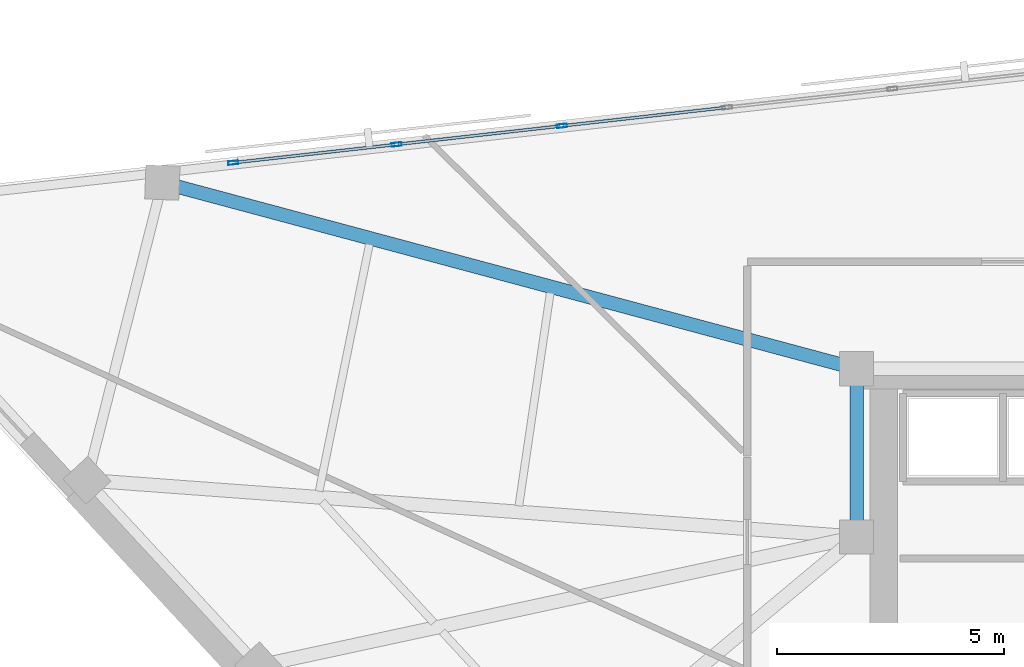
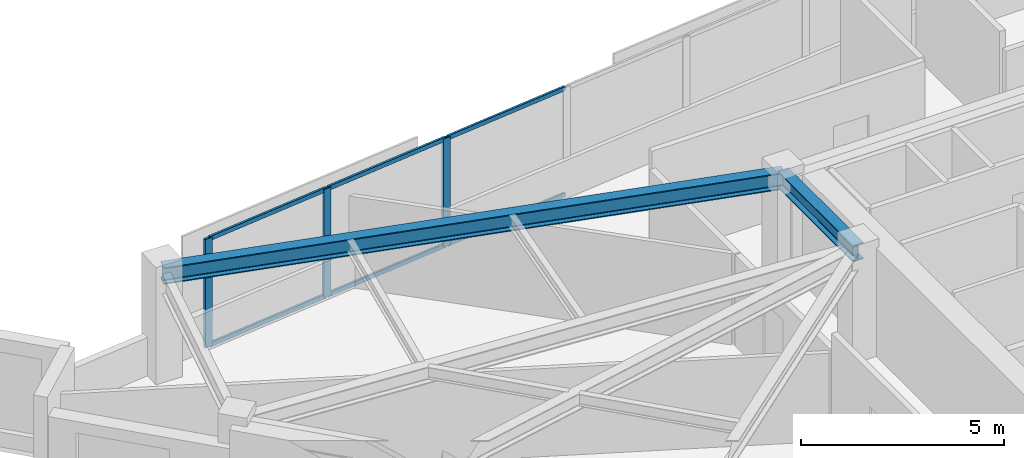
# One storey, part 2 of 13: 9 members, 2 beams, 1 element without a shape of its own.
"""IFC4 building model written with IfcOpenShell, lengths in metres."""

from ifc_helpers import new_model, si_unit, direction, frame, origin, origin_2d, place, context, subcontext, project, spatial, hollow_rectangle, i_section, extrude, material, material_profile, profile_set, type_object, element, aggregate, save


model = new_model("IFC4")

# Units and contexts
model_context = context("Model", 3, precision=1e-05, world=origin(), true_north=direction((0.0, 1.0)))
body_context = subcontext(model_context, "Body", "Model", "MODEL_VIEW")
ifc_project = project(units=[si_unit("LENGTHUNIT", "METRE"), si_unit("AREAUNIT", "SQUARE_METRE"), si_unit("VOLUMEUNIT", "CUBIC_METRE"), si_unit("PLANEANGLEUNIT", "RADIAN"), si_unit("MASSUNIT", "GRAM", prefix="KILO")], contexts=[model_context])

# Site, building, storey
site_placement = place(None, origin())
site = spatial("IfcSite", under=ifc_project, at=site_placement, CompositionType="ELEMENT")
building_placement = place(site_placement, origin())
building = spatial("IfcBuilding", under=site, at=building_placement, Name="Narakoshi Arena Tower", CompositionType="ELEMENT")
storey_placement = place(building_placement, frame((0.0, 0.0, 264.260009765625)))
storey = spatial("IfcBuildingStorey", under=building, at=storey_placement, Name="L72", CompositionType="ELEMENT", Elevation=264.260009765625)

# Beams
ifc_material_1 = material(Name="Structural steel S355J2", Category="steel")
ifc_material_profile_1 = material_profile(ifc_material_1, i_section(OverallWidth=0.300048828125, OverallDepth=0.5, WebThickness=0.014404296875, FlangeThickness=0.028076171875, FilletRadius=0.027099609375, at=origin_2d()), Name="HE500B")
ifc_profile_set_1 = profile_set([ifc_material_profile_1], Name="Structural steel S355J2")
beam_type = type_object("IfcBeamType", Name="BM-PRI-500", PredefinedType="BEAM", material=ifc_profile_set_1)
beam_1_placement = place(storey_placement, frame((72.0, 56.5, 3.010009765625), z_axis=(-0.965877018817, 0.259001128418, 0.0), x_axis=(-0.259001128418, -0.965877018817, 0.0)))
element("IfcBeam", 1, at=beam_1_placement, inside=storey, type_object=beam_type, Name="L72 Radial Primary Floor Girder 08", PredefinedType="BEAM", context=body_context, shape_type="SweptSolid", body=[
    extrude(i_section(OverallWidth=0.300048828125, OverallDepth=0.5, WebThickness=0.014404296875, FlangeThickness=0.028076171875, FilletRadius=0.027099609375, at=origin_2d()), origin(), (0.0, 0.0, 1.0), 15.822998046875),
])
beam_2_placement = place(storey_placement, frame((72.0, 52.800048828125, 3.010009765625), z_axis=(0.0, 1.0, 0.0), x_axis=(-1.0, 0.0, 0.0)))
element("IfcBeam", 2, at=beam_2_placement, inside=storey, type_object=beam_type, Name="L72 Core Perimeter Frame Beam CC4-CC5", PredefinedType="BEAM", context=body_context, shape_type="SweptSolid", body=[
    extrude(i_section(OverallWidth=0.300048828125, OverallDepth=0.5, WebThickness=0.014404296875, FlangeThickness=0.028076171875, FilletRadius=0.027099609375, at=origin_2d()), origin(), (0.0, 0.0, 1.0), 3.699951171875),
])

# Curtain wall, members
ifc_material_2 = material(Name="Anodised bronze aluminium 6063-T6", Category="aluminium")
curtain_wall_type = type_object("IfcCurtainWallType", Name="CW-HYP-HIGH", PredefinedType="NOTDEFINED", material=ifc_material_2)
curtain_wall_placement = place(storey_placement, origin())
curtain_wall = element("IfcCurtainWall", 3, at=curtain_wall_placement, inside=storey, type_object=curtain_wall_type, Name="L72 Folded Hypotenuse Curtain Wall 2-1", PredefinedType="NOTDEFINED")
ifc_material_profile_2 = material_profile(ifc_material_2, hollow_rectangle(XDim=0.080078125, YDim=0.219970703125, WallThickness=0.0048828125, OuterFilletRadius=0.006103515625, at=origin_2d()), Name="MUL220x80x5")
ifc_profile_set_2 = profile_set([ifc_material_profile_2], Name="Anodised bronze aluminium 6063-T6")
member_type_1 = type_object("IfcMemberType", Name="MEM-MUL-220", PredefinedType="MULLION", material=ifc_profile_set_2)
member_1_placement = place(storey_placement, frame((65.51123046875, 61.845458984375, 0.0), z_axis=(0.0, 0.0, 1.0), x_axis=(0.111396496086, -0.9937760415, 0.0)))
member_1 = element("IfcMember", 4, at=member_1_placement, type_object=member_type_1, Name="CW-03 mullion 5", PredefinedType="MULLION", context=body_context, shape_type="SweptSolid", body=[
    extrude(hollow_rectangle(XDim=0.080078125, YDim=0.219970703125, WallThickness=0.0048828125, OuterFilletRadius=0.006103515625, at=origin_2d()), origin(), (0.0, 0.0, 1.0), 3.260009765625),
])
member_2_placement = place(storey_placement, frame((61.873779296875, 61.437744140625, 0.0), z_axis=(0.0, 0.0, 1.0), x_axis=(0.111396496086, -0.9937760415, 0.0)))
member_2 = element("IfcMember", 5, at=member_2_placement, type_object=member_type_1, Name="CW-03 mullion 6", PredefinedType="MULLION", context=body_context, shape_type="SweptSolid", body=[
    extrude(hollow_rectangle(XDim=0.080078125, YDim=0.219970703125, WallThickness=0.0048828125, OuterFilletRadius=0.006103515625, at=origin_2d()), origin(), (0.0, 0.0, 1.0), 3.260009765625),
])
member_3_placement = place(storey_placement, frame((58.27587890625, 61.034423828125, 0.0), z_axis=(0.0, 0.0, 1.0), x_axis=(0.111396496086, -0.9937760415, 0.0)))
member_3 = element("IfcMember", 6, at=member_3_placement, type_object=member_type_1, Name="CW-03 mullion 7", PredefinedType="MULLION", context=body_context, shape_type="SweptSolid", body=[
    extrude(hollow_rectangle(XDim=0.080078125, YDim=0.219970703125, WallThickness=0.0048828125, OuterFilletRadius=0.006103515625, at=origin_2d()), origin(), (0.0, 0.0, 1.0), 3.260009765625),
])
ifc_material_profile_3 = material_profile(ifc_material_2, hollow_rectangle(XDim=0.06494140625, YDim=0.1298828125, WallThickness=0.00390625, OuterFilletRadius=0.0048828125, at=origin_2d()), Name="TRN130x65x4")
ifc_profile_set_3 = profile_set([ifc_material_profile_3], Name="Anodised bronze aluminium 6063-T6")
member_type_2 = type_object("IfcMemberType", Name="MEM-TRN-130", PredefinedType="USERDEFINED", material=ifc_profile_set_3)
member_4_placement = place(storey_placement, frame((69.109130859375, 62.248779296875, 0.032470703125), z_axis=(-0.99377347748, -0.111419367518, 0.0), x_axis=(0.111419367518, -0.99377347748, 0.0)))
member_4 = element("IfcMember", 7, at=member_4_placement, type_object=member_type_2, Name="CW-03 transom 4.1", ObjectType="TRANSOM", PredefinedType="USERDEFINED", context=body_context, shape_type="SweptSolid", body=[
    extrude(hollow_rectangle(XDim=0.06494140625, YDim=0.1298828125, WallThickness=0.00390625, OuterFilletRadius=0.0048828125, at=origin_2d()), origin(), (0.0, 0.0, 1.0), 3.580322265625),
])
member_5_placement = place(storey_placement, frame((69.109130859375, 62.248779296875, 3.2275390625), z_axis=(-0.99377347748, -0.111419367518, 0.0), x_axis=(0.111419367518, -0.99377347748, 0.0)))
member_5 = element("IfcMember", 8, at=member_5_placement, type_object=member_type_2, Name="CW-03 transom 4.2", ObjectType="TRANSOM", PredefinedType="USERDEFINED", context=body_context, shape_type="SweptSolid", body=[
    extrude(hollow_rectangle(XDim=0.06494140625, YDim=0.1298828125, WallThickness=0.00390625, OuterFilletRadius=0.0048828125, at=origin_2d()), origin(), (0.0, 0.0, 1.0), 3.580322265625),
])
member_6_placement = place(storey_placement, frame((65.471435546875, 61.841064453125, 0.032470703125), z_axis=(-0.99377347748, -0.111419367518, 0.0), x_axis=(0.111419367518, -0.99377347748, 0.0)))
member_6 = element("IfcMember", 9, at=member_6_placement, type_object=member_type_2, Name="CW-03 transom 5.1", ObjectType="TRANSOM", PredefinedType="USERDEFINED", context=body_context, shape_type="SweptSolid", body=[
    extrude(hollow_rectangle(XDim=0.06494140625, YDim=0.1298828125, WallThickness=0.00390625, OuterFilletRadius=0.0048828125, at=origin_2d()), origin(), (0.0, 0.0, 1.0), 3.580322265625),
])
member_7_placement = place(storey_placement, frame((65.471435546875, 61.841064453125, 3.2275390625), z_axis=(-0.99377347748, -0.111419367518, 0.0), x_axis=(0.111419367518, -0.99377347748, 0.0)))
member_7 = element("IfcMember", 10, at=member_7_placement, type_object=member_type_2, Name="CW-03 transom 5.2", ObjectType="TRANSOM", PredefinedType="USERDEFINED", context=body_context, shape_type="SweptSolid", body=[
    extrude(hollow_rectangle(XDim=0.06494140625, YDim=0.1298828125, WallThickness=0.00390625, OuterFilletRadius=0.0048828125, at=origin_2d()), origin(), (0.0, 0.0, 1.0), 3.580322265625),
])
member_8_placement = place(storey_placement, frame((61.833984375, 61.433349609375, 0.032470703125), z_axis=(-0.9937713764, -0.11143810591, 0.0), x_axis=(0.11143810591, -0.9937713764, 0.0)))
member_8 = element("IfcMember", 11, at=member_8_placement, type_object=member_type_2, Name="CW-03 transom 6.1", ObjectType="TRANSOM", PredefinedType="USERDEFINED", context=body_context, shape_type="SweptSolid", body=[
    extrude(hollow_rectangle(XDim=0.06494140625, YDim=0.1298828125, WallThickness=0.00390625, OuterFilletRadius=0.0048828125, at=origin_2d()), origin(), (0.0, 0.0, 1.0), 3.540283203125),
])
member_9_placement = place(storey_placement, frame((61.833984375, 61.433349609375, 3.2275390625), z_axis=(-0.9937713764, -0.11143810591, 0.0), x_axis=(0.11143810591, -0.9937713764, 0.0)))
member_9 = element("IfcMember", 12, at=member_9_placement, type_object=member_type_2, Name="CW-03 transom 6.2", ObjectType="TRANSOM", PredefinedType="USERDEFINED", context=body_context, shape_type="SweptSolid", body=[
    extrude(hollow_rectangle(XDim=0.06494140625, YDim=0.1298828125, WallThickness=0.00390625, OuterFilletRadius=0.0048828125, at=origin_2d()), origin(), (0.0, 0.0, 1.0), 3.540283203125),
])
aggregate(curtain_wall, [member_1, member_2, member_3, member_4, member_5, member_6, member_7, member_8, member_9])

save(model, "model.ifc")
